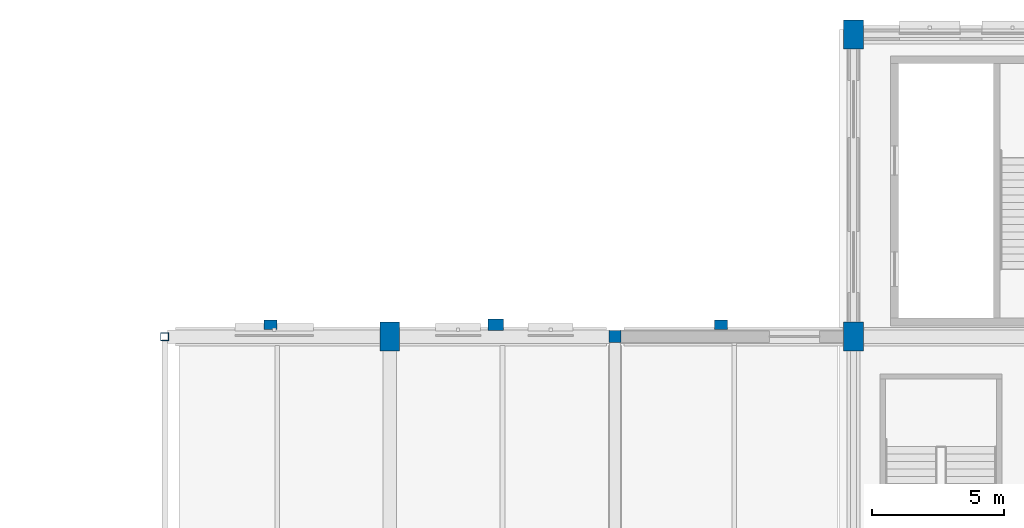
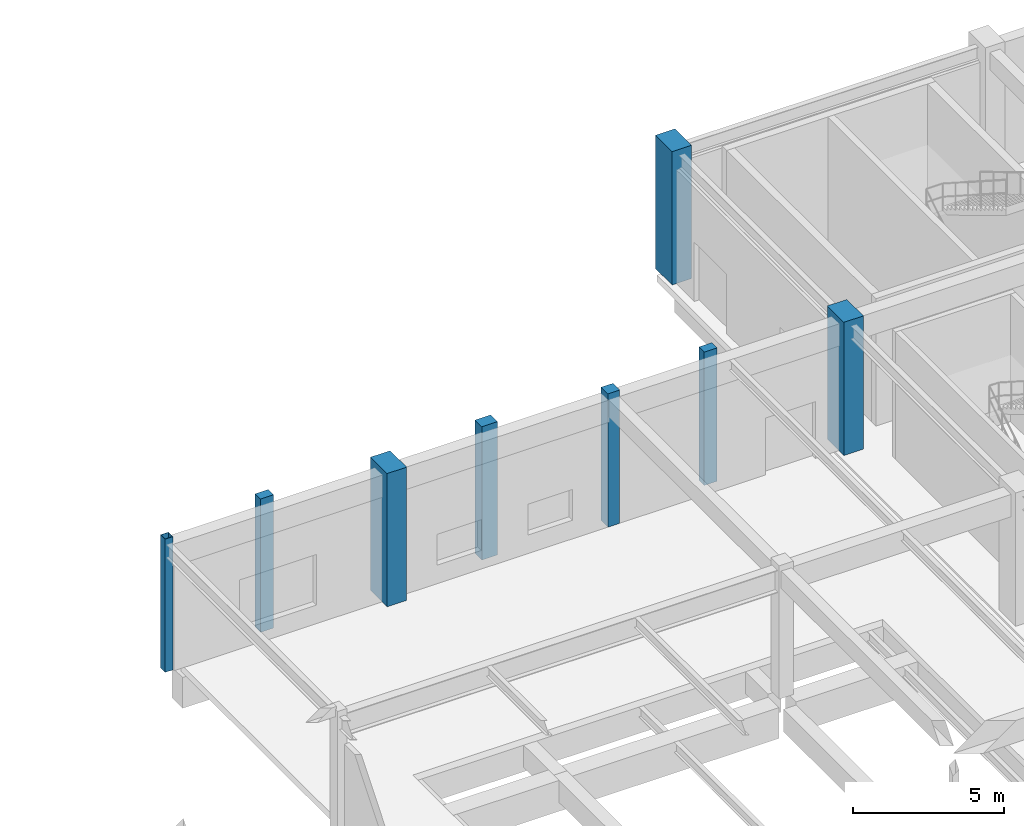
# One storey, part 16 of 113: 8 columns.
"""IFC4 building model written with IfcOpenShell, lengths in metres."""

from ifc_helpers import new_model, si_unit, direction, frame, origin, origin_2d, place, context, subcontext, project, spatial, rectangle, hollow_rectangle, extrude, material, material_profile, profile_set, type_object, element, save


model = new_model("IFC4")

# Units and contexts
model_context = context("Model", 3, precision=1e-05, world=origin(), true_north=direction((0.0, 1.0)))
body_context = subcontext(model_context, "Body", "Model", "MODEL_VIEW")
ifc_project = project(units=[si_unit("LENGTHUNIT", "METRE"), si_unit("AREAUNIT", "SQUARE_METRE"), si_unit("VOLUMEUNIT", "CUBIC_METRE"), si_unit("PLANEANGLEUNIT", "RADIAN"), si_unit("MASSUNIT", "GRAM", prefix="KILO"), si_unit("POWERUNIT", "WATT"), si_unit("THERMODYNAMICTEMPERATUREUNIT", "KELVIN")], contexts=[model_context])

# Site, building, storey
site_placement = place(None, origin())
site = spatial("IfcSite", under=ifc_project, at=site_placement, CompositionType="ELEMENT")
building_placement = place(site_placement, origin())
building = spatial("IfcBuilding", under=site, at=building_placement, Name="Kelmbourne Parkland Aquatics Centre", CompositionType="ELEMENT")
storey_placement = place(building_placement, origin())
storey = spatial("IfcBuildingStorey", under=building, at=storey_placement, Name="L00", CompositionType="ELEMENT", Elevation=0.0)

# Columns
ifc_material_1 = material(Name="Concrete C40/50", Category="concrete")
ifc_material_profile_1 = material_profile(ifc_material_1, rectangle(XDim=0.75, YDim=1.10009765625, at=origin_2d()), Name="RC 750x1100")
ifc_profile_set_1 = profile_set([ifc_material_profile_1], Name="Concrete C40/50")
column_type_1 = type_object("IfcColumnType", Name="COL-C03", PredefinedType="COLUMN", material=ifc_profile_set_1)
for number, where, z_axis, x_axis, name in (
    (1, (110.5, 103.39990234375, 0.0), (0.0, 0.0, 1.0), (1.0, 0.0, 0.0), "Structural column N-13 (L00)"),
    (2, (128.0, 103.39990234375, 0.0), (0.0, 0.0, 1.0), (1.0, 0.0, 0.0), "Structural column P-13 (L00)"),
    (3, (128.0, 114.800048828125, 0.0), (0.0, 0.0, 1.0), (1.0, 0.0, 0.0), "Structural column P-14 (L00)"),
):
    element("IfcColumn", number, at=place(storey_placement, frame(where, z_axis=z_axis, x_axis=x_axis)), inside=storey, type_object=column_type_1, Name=name, PredefinedType="COLUMN", context=body_context, shape_type="SweptSolid", body=[
        extrude(rectangle(XDim=0.75, YDim=1.10009765625, at=origin_2d()), origin(), (0.0, 0.0, 1.0), 5.39990234375),
    ])
ifc_material_profile_2 = material_profile(ifc_material_1, rectangle(XDim=0.449951171875, YDim=0.449951171875, at=origin_2d()), Name="RC 450x450")
ifc_profile_set_2 = profile_set([ifc_material_profile_2], Name="Concrete C40/50")
column_type_2 = type_object("IfcColumnType", Name="COL-C08", PredefinedType="COLUMN", material=ifc_profile_set_2)
column_1_placement = place(storey_placement, frame((119.0, 103.39990234375, 0.0), z_axis=(0.0, 0.0, 1.0), x_axis=(1.0, 0.0, 0.0)))
element("IfcColumn", 4, at=column_1_placement, inside=storey, type_object=column_type_2, Name="Structural column O-13 (L00)", PredefinedType="COLUMN", context=body_context, shape_type="SweptSolid", body=[
    extrude(rectangle(XDim=0.449951171875, YDim=0.449951171875, at=origin_2d()), origin(), (0.0, 0.0, 1.0), 5.39990234375),
])
ifc_material_2 = material(Name="Cold-formed hollow steel AS/NZS 1163 C350L0", Category="steel")
ifc_material_profile_3 = material_profile(ifc_material_2, hollow_rectangle(XDim=0.300048828125, YDim=0.300048828125, WallThickness=0.012451171875, at=origin_2d()), Name="SHS 300x300x12.5")
ifc_profile_set_3 = profile_set([ifc_material_profile_3], Name="Cold-formed hollow steel AS/NZS 1163 C350L0")
column_type_3 = type_object("IfcColumnType", Name="COL-C22", PredefinedType="COLUMN", material=ifc_profile_set_3)
column_2_placement = place(storey_placement, frame((102.0, 103.39990234375, 0.0), z_axis=(0.0, 0.0, 1.0), x_axis=(1.0, 0.0, 0.0)))
element("IfcColumn", 5, at=column_2_placement, inside=storey, type_object=column_type_3, Name="Structural column M-13 (L00)", PredefinedType="COLUMN", context=body_context, shape_type="SweptSolid", body=[
    extrude(hollow_rectangle(XDim=0.300048828125, YDim=0.300048828125, WallThickness=0.012451171875, at=origin_2d()), origin(), (0.0, 0.0, 1.0), 5.39990234375),
])
ifc_material_3 = material(Name="Clay brick masonry AS 3700 M12", Category="masonry")
ifc_material_profile_4 = material_profile(ifc_material_3, rectangle(XDim=0.35009765625, YDim=0.5, at=origin_2d()), Name="PIL 350x500")
ifc_profile_set_4 = profile_set([ifc_material_profile_4], Name="Clay brick masonry AS 3700 M12")
column_type_4 = type_object("IfcColumnType", Name="PIL-PL1", PredefinedType="PILASTER", material=ifc_profile_set_4)
for number, where, z_axis, x_axis, name in (
    (6, (106.0, 103.85009765625, 0.0), (0.0, 0.0, 1.0), (0.0, 1.0, 0.0), "Amsterdam School engaged brick buttress NV4-055 (L00)"),
    (7, (123.0, 103.85009765625, 0.0), (0.0, 0.0, 1.0), (0.0, 1.0, 0.0), "Amsterdam School engaged brick buttress NV4-057 (L00)"),
):
    element("IfcColumn", number, at=place(storey_placement, frame(where, z_axis=z_axis, x_axis=x_axis)), inside=storey, type_object=column_type_4, Name=name, PredefinedType="PILASTER", context=body_context, shape_type="SweptSolid", body=[
        extrude(rectangle(XDim=0.35009765625, YDim=0.5, at=origin_2d()), origin(), (0.0, 0.0, 1.0), 5.39990234375),
    ])
ifc_material_profile_5 = material_profile(ifc_material_3, rectangle(XDim=0.449951171875, YDim=0.60009765625, at=origin_2d()), Name="PIL 450x600")
ifc_profile_set_5 = profile_set([ifc_material_profile_5], Name="Clay brick masonry AS 3700 M12")
column_type_5 = type_object("IfcColumnType", Name="PIL-PL2", PredefinedType="PILASTER", material=ifc_profile_set_5)
column_3_placement = place(storey_placement, frame((114.5, 103.85009765625, 0.0), z_axis=(0.0, 0.0, 1.0), x_axis=(0.0, 1.0, 0.0)))
element("IfcColumn", 8, at=column_3_placement, inside=storey, type_object=column_type_5, Name="Amsterdam School engaged brick buttress NV4-056 (L00)", PredefinedType="PILASTER", context=body_context, shape_type="SweptSolid", body=[
    extrude(rectangle(XDim=0.449951171875, YDim=0.60009765625, at=origin_2d()), origin(), (0.0, 0.0, 1.0), 5.39990234375),
])

save(model, "model.ifc")
